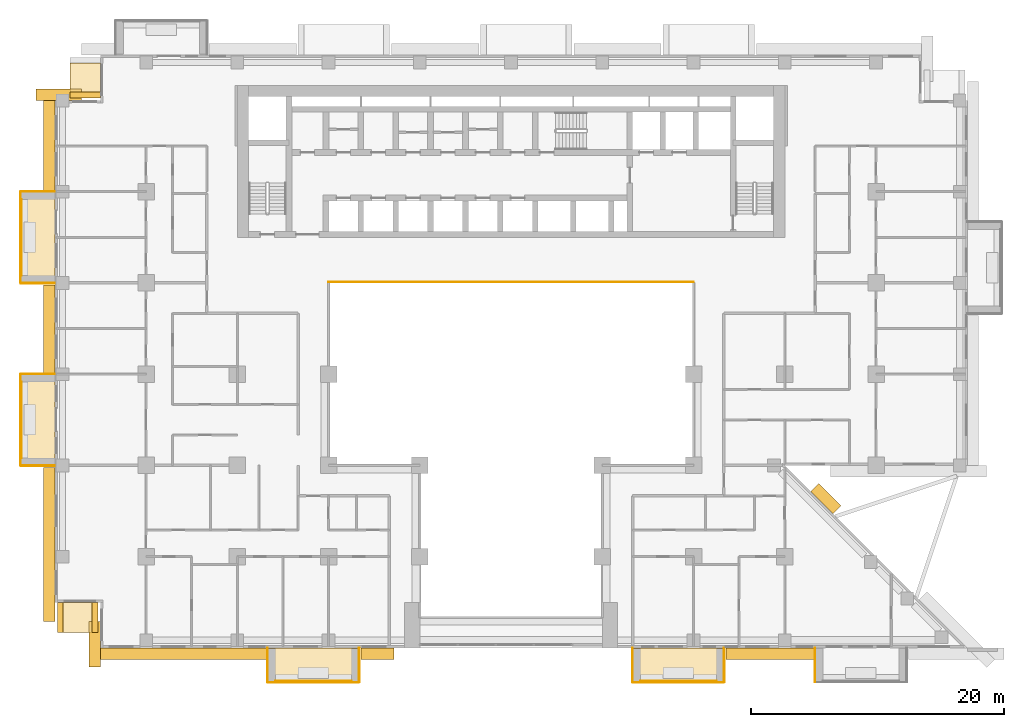
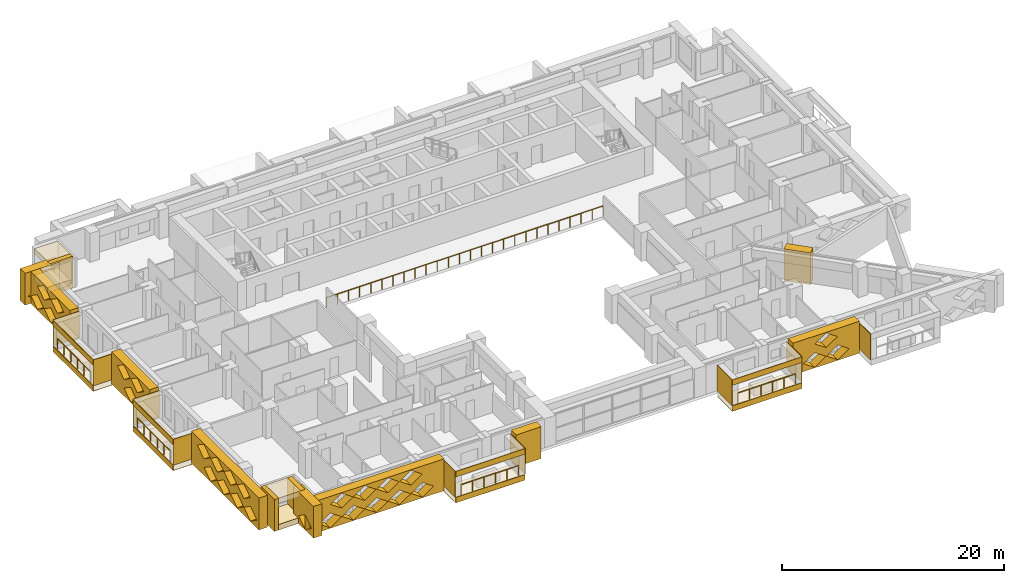
# One storey, part 14 of 17: 37 coverings, 5 railings.
"""IFC4 building model written with IfcOpenShell, lengths in metres."""

import ifcopenshell
import ifcopenshell.guid

model = None  # the IFC model being written
_history = None  # IfcOwnerHistory: only IFC2X3 demands one
_inside = {}  # id of a spatial element -> (the spatial element, [elements in it])
_under = {}  # id of a project, library or spatial element -> (it, [spatial elements below it])
_declared = {}  # id of a project -> (the project, [libraries it declares])
_typed = {}  # id of a type object -> (the type object, [elements of that type])
_made_of = {}  # id of a material, layer set ... -> (it, [elements and type objects made of it])


def new_model(schema):
    """Start an empty IFC model of exactly this schema.

    Asked for "IFC4X3", IfcOpenShell would pick the latest addendum, in which some entities
    have other attributes; the version numbers below select the first issue.
    IFC2X3 requires an IfcOwnerHistory on every rooted entity: one is made here for all.
    """
    global model, _history
    if schema == "IFC4X3":
        model = ifcopenshell.file(schema_version=(4, 3, 0, 0))
    else:
        model = ifcopenshell.file(schema=schema)
    _inside.clear()
    _under.clear()
    _declared.clear()
    _typed.clear()
    _made_of.clear()
    _history = None
    if model.schema == "IFC2X3":
        org = make("IfcOrganization", Name="unknown")
        user = make(
            "IfcPersonAndOrganization",
            ThePerson=make("IfcPerson", FamilyName="unknown"),
            TheOrganization=org,
        )
        app = make(
            "IfcApplication",
            ApplicationDeveloper=org,
            Version="unknown",
            ApplicationFullName="unknown",
            ApplicationIdentifier="unknown",
        )
        _history = make(
            "IfcOwnerHistory",
            OwningUser=user,
            OwningApplication=app,
            ChangeAction="ADDED",
            CreationDate=0,
        )
    return model


def make(cls, **values):
    """One entity of the class cls with the attributes given. An attribute that is None is left unset."""
    return model.create_entity(
        cls, **{name: value for name, value in values.items() if value is not None}
    )


def rooted(cls, **values):
    """An entity with a GlobalId (a new one), such as an element, a storey or a relation."""
    return make(cls, GlobalId=ifcopenshell.guid.new(), OwnerHistory=_history, **values)


def si_unit(unit_type, name, prefix=None):
    """IfcSIUnit, for example si_unit("LENGTHUNIT", "METRE", prefix="MILLI")."""
    return make("IfcSIUnit", UnitType=unit_type, Prefix=prefix, Name=name)


def assignment(units):
    """IfcUnitAssignment: the units of a project."""
    return None if units is None else make("IfcUnitAssignment", Units=units)


def point(xyz):
    """IfcCartesianPoint."""
    return None if xyz is None else make("IfcCartesianPoint", Coordinates=xyz)


def direction(xyz):
    """IfcDirection."""
    return None if xyz is None else make("IfcDirection", DirectionRatios=xyz)


def frame(location, z_axis=None, x_axis=None):
    """IfcAxis2Placement3D, a coordinate frame: its origin and axes. An axis left out is left unset."""
    return make(
        "IfcAxis2Placement3D",
        Location=point(location),
        Axis=direction(z_axis),
        RefDirection=direction(x_axis),
    )


def frame_2d(location, x_axis=None):
    """IfcAxis2Placement2D, a coordinate frame in the plane: its origin and x axis."""
    return make(
        "IfcAxis2Placement2D", Location=point(location), RefDirection=direction(x_axis)
    )


def origin():
    """The frame at (0, 0, 0) with its axes left unset."""
    return frame((0.0, 0.0, 0.0))


def origin_2d():
    """The frame at (0, 0) in the plane with its x axis left unset."""
    return frame_2d((0.0, 0.0))


def place(relative_to, where):
    """IfcLocalPlacement: puts the frame where relative to a parent placement (None: the world)."""
    return make(
        "IfcLocalPlacement", PlacementRelTo=relative_to, RelativePlacement=where
    )


def context(
    kind, dimensions, precision=None, world=None, true_north=None, identifier=None
):
    """IfcGeometricRepresentationContext, for example the 3D "Model" context."""
    return make(
        "IfcGeometricRepresentationContext",
        ContextIdentifier=identifier,
        ContextType=kind,
        CoordinateSpaceDimension=dimensions,
        Precision=precision,
        WorldCoordinateSystem=world,
        TrueNorth=true_north,
    )


def subcontext(parent, identifier, kind, view, scale=None):
    """IfcGeometricRepresentationSubContext, for example "Body" below "Model"."""
    return make(
        "IfcGeometricRepresentationSubContext",
        ContextIdentifier=identifier,
        ContextType=kind,
        ParentContext=parent,
        TargetScale=scale,
        TargetView=view,
    )


def project(units=None, contexts=None):
    """IfcProject with its units and contexts."""
    return rooted(
        "IfcProject",
        Name="project",
        RepresentationContexts=contexts,
        UnitsInContext=assignment(units),
    )


def spatial(cls, under=None, at=None, **own):
    """A site, building, storey or space (cls), placed at a placement, below another one or the project."""
    s = rooted(cls, ObjectPlacement=at, **own)
    if under is not None:
        _under.setdefault(under.id(), (under, []))[1].append(s)
    return s


def polyline(points):
    """IfcPolyline through the points."""
    return make("IfcPolyline", Points=[point(p) for p in points])


def profile(cls, at=None, kind="AREA", **sizes):
    """A parametric profile (cls). Its sizes go by their IFC names, for example OverallWidth=200.0."""
    return make(cls, ProfileType=kind, Position=at, **sizes)


def circle(**sizes):
    """IfcCircleProfileDef."""
    return profile("IfcCircleProfileDef", **sizes)


def outline(outer, holes=None, kind="AREA"):
    """IfcArbitraryClosedProfileDef: a profile drawn as a closed curve; with holes, ...WithVoids."""
    if holes is None:
        return make("IfcArbitraryClosedProfileDef", ProfileType=kind, OuterCurve=outer)
    return make(
        "IfcArbitraryProfileDefWithVoids",
        ProfileType=kind,
        OuterCurve=outer,
        InnerCurves=holes,
    )


def extrude(swept, where, along, depth):
    """IfcExtrudedAreaSolid: the profile swept, set in the frame where, extruded along a direction by depth."""
    return make(
        "IfcExtrudedAreaSolid",
        SweptArea=swept,
        Position=where,
        ExtrudedDirection=direction(along),
        Depth=depth,
    )


def shape(context_of_items, identifier, shape_type, items):
    """IfcShapeRepresentation: the items that make up one representation, for example the "Body"."""
    return make(
        "IfcShapeRepresentation",
        ContextOfItems=context_of_items,
        RepresentationIdentifier=identifier,
        RepresentationType=shape_type,
        Items=items,
    )


def material(Name=None, Category=None):
    """IfcMaterial."""
    return make("IfcMaterial", Name=Name, Category=Category)


def layer(
    of_material, thickness, ventilated=None, Name=None, Category=None, Priority=None
):
    """IfcMaterialLayer: one layer of a wall or slab, of a material (None: an air gap)."""
    return make(
        "IfcMaterialLayer",
        Material=of_material,
        LayerThickness=thickness,
        IsVentilated=ventilated,
        Name=Name,
        Category=Category,
        Priority=Priority,
    )


def layer_set(layers, Name=None):
    """IfcMaterialLayerSet."""
    return make("IfcMaterialLayerSet", MaterialLayers=layers, LayerSetName=Name)


def made_of(thing, what):
    """Note that an element or type object is made of a material, layer set ...; save() writes the relation."""
    if what is not None:
        _made_of.setdefault(what.id(), (what, []))[1].append(thing)
    return thing


def type_object(cls, material=None, **own):
    """A type object (cls), such as IfcWallType, which elements share."""
    return made_of(rooted(cls, **own), material)


def element(
    cls,
    number,
    at=None,
    inside=None,
    cuts=None,
    type_object=None,
    material=None,
    context=None,
    identifier="Body",
    shape_type=None,
    held_by="IfcProductDefinitionShape",
    body=None,
    shapes=None,
    **own,
):
    """One element of the class cls, such as IfcWall. Its Tag is "e" and its number.

    at: its placement. inside: the storey or other place that contains it. cuts: it is an
    opening in that element (IfcRelVoidsElement). A single representation is given by context,
    identifier, shape_type and body (its items); several are given by shapes. held_by: the class
    of the entity that holds the representations. save() writes the other relations.
    """
    e = rooted(cls, Tag="e%d" % number, ObjectPlacement=at, **own)
    if body is not None:
        shapes = [shape(context, identifier, shape_type, body)]
    if shapes is not None:
        e.Representation = make(held_by, Representations=shapes)
    if inside is not None:
        _inside.setdefault(inside.id(), (inside, []))[1].append(e)
    if cuts is not None:
        rooted(
            "IfcRelVoidsElement", RelatingBuildingElement=cuts, RelatedOpeningElement=e
        )
    if type_object is not None:
        _typed.setdefault(type_object.id(), (type_object, []))[1].append(e)
    return made_of(e, material)


def aggregate(whole, parts):
    """IfcRelAggregates: a whole, such as a stair, and the parts it consists of."""
    return rooted("IfcRelAggregates", RelatingObject=whole, RelatedObjects=parts)


def save(model, path):
    """Write the relations noted so far, then the file.

    IfcRelAggregates (storeys below a building ...), IfcRelContainedInSpatialStructure (elements
    in a storey), IfcRelDefinesByType, IfcRelAssociatesMaterial and IfcRelDeclares: one each for
    every whole, place, type object, material and project.
    """
    for whole, parts in _under.values():
        aggregate(whole, parts)
    for where, things in _inside.values():
        rooted(
            "IfcRelContainedInSpatialStructure",
            RelatedElements=things,
            RelatingStructure=where,
        )
    for kind, things in _typed.values():
        rooted("IfcRelDefinesByType", RelatedObjects=things, RelatingType=kind)
    for what, things in _made_of.values():
        rooted("IfcRelAssociatesMaterial", RelatedObjects=things, RelatingMaterial=what)
    for by, libraries in _declared.values():
        rooted("IfcRelDeclares", RelatingContext=by, RelatedDefinitions=libraries)
    model.write(path)


model = new_model("IFC4")

# Units and contexts
model_context = context("Model", 3, precision=1e-05, world=origin(), true_north=direction((0.0, 1.0)))
body_context = subcontext(model_context, "Body", "Model", "MODEL_VIEW")
ifc_project = project(units=[si_unit("LENGTHUNIT", "METRE"), si_unit("AREAUNIT", "SQUARE_METRE"), si_unit("VOLUMEUNIT", "CUBIC_METRE"), si_unit("PLANEANGLEUNIT", "RADIAN"), si_unit("MASSUNIT", "GRAM", prefix="KILO")], contexts=[model_context])

# Site, building, storey
site_placement = place(None, origin())
site = spatial("IfcSite", under=ifc_project, at=site_placement, CompositionType="ELEMENT")
building_placement = place(site_placement, origin())
building = spatial("IfcBuilding", under=site, at=building_placement, Name="Saffron Iwan Residences", CompositionType="ELEMENT")
storey_placement = place(building_placement, frame((0.0, 0.0, 79.5)))
storey = spatial("IfcBuildingStorey", under=building, at=storey_placement, Name="L20", CompositionType="ELEMENT", Elevation=79.5)

# Railings
ifc_material_1 = material(Name="Stainless steel 316", Category="steel")
railing_type_1 = type_object("IfcRailingType", Name="Atrium guard 1150", PredefinedType="GUARDRAIL", material=ifc_material_1)
railing_placement = place(storey_placement, frame((36.0, 62.47509765625, 0.0)))
element("IfcRailing", 1, at=railing_placement, inside=storey, type_object=railing_type_1, Name="Atrium guard L20", PredefinedType="GUARDRAIL", context=body_context, shape_type="SweptSolid", body=[
    extrude(circle(Radius=0.02392578125, at=origin_2d()), frame((0.0, 0.0, 1.1259765625), z_axis=(1.0, 0.0, 0.0), x_axis=(0.0, 1.0, 0.0)), (0.0, 0.0, 1.0), 28.800048828125),
    extrude(circle(Radius=0.02099609375, at=origin_2d()), origin(), (0.0, 0.0, 1.0), 1.101806640625),
    extrude(circle(Radius=0.02099609375, at=origin_2d()), frame((1.152099609375, 0.0, 0.0)), (0.0, 0.0, 1.0), 1.101806640625),
    extrude(circle(Radius=0.02099609375, at=origin_2d()), frame((2.303955078125, 0.0, 0.0)), (0.0, 0.0, 1.0), 1.101806640625),
    extrude(circle(Radius=0.02099609375, at=origin_2d()), frame((3.4560546875, 0.0, 0.0)), (0.0, 0.0, 1.0), 1.101806640625),
    extrude(circle(Radius=0.02099609375, at=origin_2d()), frame((4.60791015625, 0.0, 0.0)), (0.0, 0.0, 1.0), 1.101806640625),
    extrude(circle(Radius=0.02099609375, at=origin_2d()), frame((5.760009765625, 0.0, 0.0)), (0.0, 0.0, 1.0), 1.101806640625),
    extrude(circle(Radius=0.02099609375, at=origin_2d()), frame((6.912109375, 0.0, 0.0)), (0.0, 0.0, 1.0), 1.101806640625),
    extrude(circle(Radius=0.02099609375, at=origin_2d()), frame((8.06396484375, 0.0, 0.0)), (0.0, 0.0, 1.0), 1.101806640625),
    extrude(circle(Radius=0.02099609375, at=origin_2d()), frame((9.216064453125, 0.0, 0.0)), (0.0, 0.0, 1.0), 1.101806640625),
    extrude(circle(Radius=0.02099609375, at=origin_2d()), frame((10.367919921875, 0.0, 0.0)), (0.0, 0.0, 1.0), 1.101806640625),
    extrude(circle(Radius=0.02099609375, at=origin_2d()), frame((11.52001953125, 0.0, 0.0)), (0.0, 0.0, 1.0), 1.101806640625),
    extrude(circle(Radius=0.02099609375, at=origin_2d()), frame((12.672119140625, 0.0, 0.0)), (0.0, 0.0, 1.0), 1.101806640625),
    extrude(circle(Radius=0.02099609375, at=origin_2d()), frame((13.823974609375, 0.0, 0.0)), (0.0, 0.0, 1.0), 1.101806640625),
    extrude(circle(Radius=0.02099609375, at=origin_2d()), frame((14.97607421875, 0.0, 0.0)), (0.0, 0.0, 1.0), 1.101806640625),
    extrude(circle(Radius=0.02099609375, at=origin_2d()), frame((16.1279296875, 0.0, 0.0)), (0.0, 0.0, 1.0), 1.101806640625),
    extrude(circle(Radius=0.02099609375, at=origin_2d()), frame((17.280029296875, 0.0, 0.0)), (0.0, 0.0, 1.0), 1.101806640625),
    extrude(circle(Radius=0.02099609375, at=origin_2d()), frame((18.43212890625, 0.0, 0.0)), (0.0, 0.0, 1.0), 1.101806640625),
    extrude(circle(Radius=0.02099609375, at=origin_2d()), frame((19.583984375, 0.0, 0.0)), (0.0, 0.0, 1.0), 1.101806640625),
    extrude(circle(Radius=0.02099609375, at=origin_2d()), frame((20.736083984375, 0.0, 0.0)), (0.0, 0.0, 1.0), 1.101806640625),
    extrude(circle(Radius=0.02099609375, at=origin_2d()), frame((21.887939453125, 0.0, 0.0)), (0.0, 0.0, 1.0), 1.101806640625),
    extrude(circle(Radius=0.02099609375, at=origin_2d()), frame((23.0400390625, 0.0, 0.0)), (0.0, 0.0, 1.0), 1.101806640625),
    extrude(circle(Radius=0.02099609375, at=origin_2d()), frame((24.192138671875, 0.0, 0.0)), (0.0, 0.0, 1.0), 1.101806640625),
    extrude(circle(Radius=0.02099609375, at=origin_2d()), frame((25.343994140625, 0.0, 0.0)), (0.0, 0.0, 1.0), 1.101806640625),
    extrude(circle(Radius=0.02099609375, at=origin_2d()), frame((26.49609375, 0.0, 0.0)), (0.0, 0.0, 1.0), 1.101806640625),
    extrude(circle(Radius=0.02099609375, at=origin_2d()), frame((27.64794921875, 0.0, 0.0)), (0.0, 0.0, 1.0), 1.101806640625),
    extrude(circle(Radius=0.02099609375, at=origin_2d()), frame((28.800048828125, 0.0, 0.0)), (0.0, 0.0, 1.0), 1.101806640625),
])
railing_type_2 = type_object("IfcRailingType", Name="BALCONY GUARD 1150", PredefinedType="GUARDRAIL", material=ifc_material_1)
for number, where, name in (
    (2, (11.77490234375, 69.0, 0.0), "Balcony guard L20 F8-0"),
    (3, (11.77490234375, 54.60009765625, 0.0), "Balcony guard L20 F8-1"),
):
    element("IfcRailing", number, at=place(storey_placement, frame(where)), inside=storey, type_object=railing_type_2, Name=name, PredefinedType="GUARDRAIL", context=body_context, shape_type="SweptSolid", body=[
        extrude(circle(Radius=0.02392578125, at=origin_2d()), frame((0.0, 0.0, 1.1259765625), z_axis=(0.0, -1.0, 0.0), x_axis=(1.0, 0.0, 0.0)), (0.0, 0.0, 1.0), 6.0),
        extrude(circle(Radius=0.02099609375, at=origin_2d()), origin(), (0.0, 0.0, 1.0), 1.101806640625),
        extrude(circle(Radius=0.02099609375, at=origin_2d()), frame((0.0, -1.199951171875, 0.0)), (0.0, 0.0, 1.0), 1.101806640625),
        extrude(circle(Radius=0.02099609375, at=origin_2d()), frame((0.0, -2.39990234375, 0.0)), (0.0, 0.0, 1.0), 1.101806640625),
        extrude(circle(Radius=0.02099609375, at=origin_2d()), frame((0.0, -3.60009765625, 0.0)), (0.0, 0.0, 1.0), 1.101806640625),
        extrude(circle(Radius=0.02099609375, at=origin_2d()), frame((0.0, -4.800048828125, 0.0)), (0.0, 0.0, 1.0), 1.101806640625),
        extrude(circle(Radius=0.02099609375, at=origin_2d()), frame((0.0, -6.0, 0.0)), (0.0, 0.0, 1.0), 1.101806640625),
    ])
for number, where, name in (
    (4, (31.800048828125, 30.97509765625, 0.0), "Balcony guard L20 11-0"),
    (5, (60.60009765625, 30.97509765625, 0.0), "Balcony guard L20 11-1"),
):
    element("IfcRailing", number, at=place(storey_placement, frame(where)), inside=storey, type_object=railing_type_2, Name=name, PredefinedType="GUARDRAIL", context=body_context, shape_type="SweptSolid", body=[
        extrude(circle(Radius=0.02392578125, at=origin_2d()), frame((0.0, 0.0, 1.1259765625), z_axis=(1.0, 0.0, 0.0), x_axis=(0.0, 1.0, 0.0)), (0.0, 0.0, 1.0), 6.0),
        extrude(circle(Radius=0.02099609375, at=origin_2d()), origin(), (0.0, 0.0, 1.0), 1.101806640625),
        extrude(circle(Radius=0.02099609375, at=origin_2d()), frame((1.199951171875, 0.0, 0.0)), (0.0, 0.0, 1.0), 1.101806640625),
        extrude(circle(Radius=0.02099609375, at=origin_2d()), frame((2.39990234375, 0.0, 0.0)), (0.0, 0.0, 1.0), 1.101806640625),
        extrude(circle(Radius=0.02099609375, at=origin_2d()), frame((3.60009765625, 0.0, 0.0)), (0.0, 0.0, 1.0), 1.101806640625),
        extrude(circle(Radius=0.02099609375, at=origin_2d()), frame((4.800048828125, 0.0, 0.0)), (0.0, 0.0, 1.0), 1.101806640625),
        extrude(circle(Radius=0.02099609375, at=origin_2d()), frame((6.0, 0.0, 0.0)), (0.0, 0.0, 1.0), 1.101806640625),
    ])

# Coverings
ifc_material_2 = material(Name="Precast concrete C40/50 white painted", Category="concrete")
ifc_layer = layer(ifc_material_2, 0.050048828125)
ifc_layer_set = layer_set([ifc_layer], Name="Precast concrete C40/50 white painted")
covering_type_1 = type_object("IfcCoveringType", Name="FRAME SKIN PRECAST WHITE 50", PredefinedType="CLADDING", material=ifc_layer_set)
for number, where, name in (
    (6, (0.0, 0.0, -0.60009765625), "Frame skin slab edge L20 F8-0"),
    (7, (0.0, 0.0, 2.25), "Frame skin fascia L20 F8-0"),
):
    element("IfcCovering", number, at=place(storey_placement, frame(where)), inside=storey, type_object=covering_type_1, Name=name, PredefinedType="CLADDING", context=body_context, shape_type="SweptSolid", body=[
        extrude(outline(polyline([(11.64990234375, 69.60009765625), (11.64990234375, 62.39990234375), (11.699951171875, 62.39990234375), (11.699951171875, 69.60009765625), (11.64990234375, 69.60009765625)])), origin(), (0.0, 0.0, 1.0), 0.60009765625),
    ])
covering_1_placement = place(storey_placement, frame((0.0, 0.0, -0.64990234375)))
element("IfcCovering", 8, at=covering_1_placement, inside=storey, type_object=covering_type_1, Name="Frame skin soffit L20 F8-0", PredefinedType="CLADDING", context=body_context, shape_type="SweptSolid", body=[
    extrude(outline(polyline([(11.699951171875, 69.60009765625), (11.699951171875, 62.39990234375), (14.39990234375, 62.39990234375), (14.39990234375, 69.60009765625), (11.699951171875, 69.60009765625)])), origin(), (0.0, 0.0, 1.0), 0.0498046875),
])
covering_2_placement = place(storey_placement, origin())
element("IfcCovering", 9, at=covering_2_placement, inside=storey, type_object=covering_type_1, Name="Frame skin fin L20 F8-0a", PredefinedType="CLADDING", context=body_context, shape_type="SweptSolid", body=[
    extrude(outline(polyline([(11.699951171875, 69.64990234375), (11.699951171875, 69.60009765625), (14.39990234375, 69.60009765625), (14.39990234375, 69.64990234375), (11.699951171875, 69.64990234375)])), origin(), (0.0, 0.0, 1.0), 2.85009765625),
])
covering_3_placement = place(storey_placement, origin())
element("IfcCovering", 10, at=covering_3_placement, inside=storey, type_object=covering_type_1, Name="Frame skin fin L20 F8-0b", PredefinedType="CLADDING", context=body_context, shape_type="SweptSolid", body=[
    extrude(outline(polyline([(11.699951171875, 62.39990234375), (11.699951171875, 62.35009765625), (14.39990234375, 62.35009765625), (14.39990234375, 62.39990234375), (11.699951171875, 62.39990234375)])), origin(), (0.0, 0.0, 1.0), 2.85009765625),
])
for number, where, name in (
    (11, (0.0, 0.0, -0.60009765625), "Frame skin slab edge L20 F8-1"),
    (12, (0.0, 0.0, 2.25), "Frame skin fascia L20 F8-1"),
):
    element("IfcCovering", number, at=place(storey_placement, frame(where)), inside=storey, type_object=covering_type_1, Name=name, PredefinedType="CLADDING", context=body_context, shape_type="SweptSolid", body=[
        extrude(outline(polyline([(11.64990234375, 55.199951171875), (11.64990234375, 48.0), (11.699951171875, 48.0), (11.699951171875, 55.199951171875), (11.64990234375, 55.199951171875)])), origin(), (0.0, 0.0, 1.0), 0.60009765625),
    ])
covering_4_placement = place(storey_placement, frame((0.0, 0.0, -0.64990234375)))
element("IfcCovering", 13, at=covering_4_placement, inside=storey, type_object=covering_type_1, Name="Frame skin soffit L20 F8-1", PredefinedType="CLADDING", context=body_context, shape_type="SweptSolid", body=[
    extrude(outline(polyline([(11.699951171875, 55.199951171875), (11.699951171875, 48.0), (14.39990234375, 48.0), (14.39990234375, 55.199951171875), (11.699951171875, 55.199951171875)])), origin(), (0.0, 0.0, 1.0), 0.0498046875),
])
covering_5_placement = place(storey_placement, origin())
element("IfcCovering", 14, at=covering_5_placement, inside=storey, type_object=covering_type_1, Name="Frame skin fin L20 F8-1a", PredefinedType="CLADDING", context=body_context, shape_type="SweptSolid", body=[
    extrude(outline(polyline([(11.699951171875, 55.25), (11.699951171875, 55.199951171875), (14.39990234375, 55.199951171875), (14.39990234375, 55.25), (11.699951171875, 55.25)])), origin(), (0.0, 0.0, 1.0), 2.85009765625),
])
covering_6_placement = place(storey_placement, origin())
element("IfcCovering", 15, at=covering_6_placement, inside=storey, type_object=covering_type_1, Name="Frame skin fin L20 F8-1b", PredefinedType="CLADDING", context=body_context, shape_type="SweptSolid", body=[
    extrude(outline(polyline([(11.699951171875, 48.0), (11.699951171875, 47.949951171875), (14.39990234375, 47.949951171875), (14.39990234375, 48.0), (11.699951171875, 48.0)])), origin(), (0.0, 0.0, 1.0), 2.85009765625),
])
for number, where, name in (
    (16, (0.0, 0.0, -0.60009765625), "Frame skin slab edge L20 11-0"),
    (17, (0.0, 0.0, 2.25), "Frame skin fascia L20 11-0"),
):
    element("IfcCovering", number, at=place(storey_placement, frame(where)), inside=storey, type_object=covering_type_1, Name=name, PredefinedType="CLADDING", context=body_context, shape_type="SweptSolid", body=[
        extrude(outline(polyline([(31.199951171875, 30.85009765625), (38.39990234375, 30.85009765625), (38.39990234375, 30.89990234375), (31.199951171875, 30.89990234375), (31.199951171875, 30.85009765625)])), origin(), (0.0, 0.0, 1.0), 0.60009765625),
    ])
covering_7_placement = place(storey_placement, frame((0.0, 0.0, -0.64990234375)))
element("IfcCovering", 18, at=covering_7_placement, inside=storey, type_object=covering_type_1, Name="Frame skin soffit L20 11-0", PredefinedType="CLADDING", context=body_context, shape_type="SweptSolid", body=[
    extrude(outline(polyline([(31.199951171875, 30.89990234375), (38.39990234375, 30.89990234375), (38.39990234375, 33.60009765625), (31.199951171875, 33.60009765625), (31.199951171875, 30.89990234375)])), origin(), (0.0, 0.0, 1.0), 0.0498046875),
])
covering_8_placement = place(storey_placement, origin())
element("IfcCovering", 19, at=covering_8_placement, inside=storey, type_object=covering_type_1, Name="Frame skin fin L20 11-0a", PredefinedType="CLADDING", context=body_context, shape_type="SweptSolid", body=[
    extrude(outline(polyline([(31.14990234375, 30.89990234375), (31.199951171875, 30.89990234375), (31.199951171875, 33.60009765625), (31.14990234375, 33.60009765625), (31.14990234375, 30.89990234375)])), origin(), (0.0, 0.0, 1.0), 2.85009765625),
])
covering_9_placement = place(storey_placement, origin())
element("IfcCovering", 20, at=covering_9_placement, inside=storey, type_object=covering_type_1, Name="Frame skin fin L20 11-0b", PredefinedType="CLADDING", context=body_context, shape_type="SweptSolid", body=[
    extrude(outline(polyline([(38.39990234375, 30.89990234375), (38.449951171875, 30.89990234375), (38.449951171875, 33.60009765625), (38.39990234375, 33.60009765625), (38.39990234375, 30.89990234375)])), origin(), (0.0, 0.0, 1.0), 2.85009765625),
])
for number, where, name in (
    (21, (0.0, 0.0, -0.60009765625), "Frame skin slab edge L20 11-1"),
    (22, (0.0, 0.0, 2.25), "Frame skin fascia L20 11-1"),
):
    element("IfcCovering", number, at=place(storey_placement, frame(where)), inside=storey, type_object=covering_type_1, Name=name, PredefinedType="CLADDING", context=body_context, shape_type="SweptSolid", body=[
        extrude(outline(polyline([(60.0, 30.85009765625), (67.199951171875, 30.85009765625), (67.199951171875, 30.89990234375), (60.0, 30.89990234375), (60.0, 30.85009765625)])), origin(), (0.0, 0.0, 1.0), 0.60009765625),
    ])
covering_10_placement = place(storey_placement, frame((0.0, 0.0, -0.64990234375)))
element("IfcCovering", 23, at=covering_10_placement, inside=storey, type_object=covering_type_1, Name="Frame skin soffit L20 11-1", PredefinedType="CLADDING", context=body_context, shape_type="SweptSolid", body=[
    extrude(outline(polyline([(60.0, 30.89990234375), (67.199951171875, 30.89990234375), (67.199951171875, 33.60009765625), (60.0, 33.60009765625), (60.0, 30.89990234375)])), origin(), (0.0, 0.0, 1.0), 0.0498046875),
])
covering_11_placement = place(storey_placement, origin())
element("IfcCovering", 24, at=covering_11_placement, inside=storey, type_object=covering_type_1, Name="Frame skin fin L20 11-1a", PredefinedType="CLADDING", context=body_context, shape_type="SweptSolid", body=[
    extrude(outline(polyline([(59.949951171875, 30.89990234375), (60.0, 30.89990234375), (60.0, 33.60009765625), (59.949951171875, 33.60009765625), (59.949951171875, 30.89990234375)])), origin(), (0.0, 0.0, 1.0), 2.85009765625),
])
covering_12_placement = place(storey_placement, origin())
element("IfcCovering", 25, at=covering_12_placement, inside=storey, type_object=covering_type_1, Name="Frame skin fin L20 11-1b", PredefinedType="CLADDING", context=body_context, shape_type="SweptSolid", body=[
    extrude(outline(polyline([(67.199951171875, 30.89990234375), (67.25, 30.89990234375), (67.25, 33.60009765625), (67.199951171875, 33.60009765625), (67.199951171875, 30.89990234375)])), origin(), (0.0, 0.0, 1.0), 2.85009765625),
])
covering_13_placement = place(storey_placement, origin())
element("IfcCovering", 26, at=covering_13_placement, inside=storey, type_object=covering_type_1, Name="Frame skin fin L20 11-2a", PredefinedType="CLADDING", context=body_context, shape_type="SweptSolid", body=[
    extrude(outline(polyline([(74.35009765625, 30.89990234375), (74.39990234375, 30.89990234375), (74.39990234375, 33.60009765625), (74.35009765625, 33.60009765625), (74.35009765625, 30.89990234375)])), origin(), (0.0, 0.0, 1.0), 2.85009765625),
])
ifc_material_3 = material(Name="Precast concrete C40/50", Category="concrete")
covering_type_2 = type_object("IfcCoveringType", Name="OUTER SKIN LATTICE SCREEN", PredefinedType="CLADDING", material=ifc_material_3)
covering_14_placement = place(storey_placement, frame((75.805908203125, 44.194091796875, -0.320068359375), z_axis=(0.707106781187, 0.707106781187, 0.0), x_axis=(-0.707106781187, 0.707106781187, 0.0)))
element("IfcCovering", 27, at=covering_14_placement, inside=storey, type_object=covering_type_2, Name="OUTER SKIN lattice screen L20 F0.1", PredefinedType="CLADDING", context=body_context, shape_type="SweptSolid", body=[
    extrude(outline(polyline([(0.0, 0.0), (2.4853515625, 0.0), (2.4853515625, 3.5), (0.0, 3.5), (0.0, 0.0)])), origin(), (0.0, 0.0, 1.0), 0.900146484375),
])
covering_15_placement = place(storey_placement, frame((16.5, 76.800048828125, -0.320068359375), z_axis=(0.0, 1.0, 0.0), x_axis=(-1.0, 0.0, 0.0)))
element("IfcCovering", 28, at=covering_15_placement, inside=storey, type_object=covering_type_2, Name="OUTER SKIN lattice screen L20 F7.0", PredefinedType="CLADDING", context=body_context, shape_type="SweptSolid", body=[
    extrude(outline(polyline([(0.0, 0.0), (3.60009765625, 0.0), (3.60009765625, 3.5), (0.0, 3.5), (0.0, 0.0)]), holes=[polyline([(0.919921875, 0.875), (2.10009765625, 0.06005859375), (3.280029296875, 0.875), (2.10009765625, 1.68994140625), (0.919921875, 0.875)])]), origin(), (0.0, 0.0, 1.0), 0.89990234375),
])
covering_16_placement = place(storey_placement, frame((14.39990234375, 77.699951171875, -0.320068359375), z_axis=(-1.0, 0.0, 0.0), x_axis=(0.0, -1.0, 0.0)))
element("IfcCovering", 29, at=covering_16_placement, inside=storey, type_object=covering_type_2, Name="OUTER SKIN lattice screen L20 F8.0", PredefinedType="CLADDING", context=body_context, shape_type="SweptSolid", body=[
    extrude(outline(polyline([(0.0, 0.0), (7.949951171875, 0.0), (7.949951171875, 3.5), (0.0, 3.5), (0.0, 0.0)]), holes=[polyline([(0.919921875, 0.875), (2.10009765625, 0.06005859375), (3.280029296875, 0.875), (2.10009765625, 1.68994140625), (0.919921875, 0.875)]), polyline([(3.320068359375, 0.875), (4.5, 0.06005859375), (5.679931640625, 0.875), (4.5, 1.68994140625), (3.320068359375, 0.875)]), polyline([(2.1201171875, 2.625), (3.300048828125, 1.81005859375), (4.47998046875, 2.625), (3.300048828125, 3.43994140625), (2.1201171875, 2.625)]), polyline([(4.52001953125, 2.625), (5.699951171875, 1.81005859375), (6.8798828125, 2.625), (5.699951171875, 3.43994140625), (4.52001953125, 2.625)])]), origin(), (0.0, 0.0, 1.0), 0.89990234375),
])
covering_17_placement = place(storey_placement, frame((14.39990234375, 62.25, -0.320068359375), z_axis=(-1.0, 0.0, 0.0), x_axis=(0.0, -1.0, 0.0)))
element("IfcCovering", 30, at=covering_17_placement, inside=storey, type_object=covering_type_2, Name="OUTER SKIN lattice screen L20 F8.1", PredefinedType="CLADDING", context=body_context, shape_type="SweptSolid", body=[
    extrude(outline(polyline([(0.0, 0.0), (6.89990234375, 0.0), (6.89990234375, 3.5), (0.0, 3.5), (0.0, 0.0)]), holes=[polyline([(2.27001953125, 0.875), (3.449951171875, 0.06005859375), (4.6298828125, 0.875), (3.449951171875, 1.68994140625), (2.27001953125, 0.875)]), polyline([(1.070068359375, 2.625), (2.25, 1.81005859375), (3.429931640625, 2.625), (2.25, 3.43994140625), (1.070068359375, 2.625)]), polyline([(3.469970703125, 2.625), (4.64990234375, 1.81005859375), (5.830078125, 2.625), (4.64990234375, 3.43994140625), (3.469970703125, 2.625)])]), origin(), (0.0, 0.0, 1.0), 0.89990234375),
])
covering_18_placement = place(storey_placement, frame((14.39990234375, 47.85009765625, -0.320068359375), z_axis=(-1.0, 0.0, 0.0), x_axis=(0.0, -1.0, 0.0)))
element("IfcCovering", 31, at=covering_18_placement, inside=storey, type_object=covering_type_2, Name="OUTER SKIN lattice screen L20 F8.2", PredefinedType="CLADDING", context=body_context, shape_type="SweptSolid", body=[
    extrude(outline(polyline([(0.0, 0.0), (12.14990234375, 0.0), (12.14990234375, 3.5), (0.0, 3.5), (0.0, 0.0)]), holes=[polyline([(2.27001953125, 0.875), (3.449951171875, 0.06005859375), (4.6298828125, 0.875), (3.449951171875, 1.68994140625), (2.27001953125, 0.875)]), polyline([(4.669921875, 0.875), (5.85009765625, 0.06005859375), (7.030029296875, 0.875), (5.85009765625, 1.68994140625), (4.669921875, 0.875)]), polyline([(7.070068359375, 0.875), (8.25, 0.06005859375), (9.429931640625, 0.875), (8.25, 1.68994140625), (7.070068359375, 0.875)]), polyline([(9.469970703125, 0.875), (10.64990234375, 0.06005859375), (11.830078125, 0.875), (10.64990234375, 1.68994140625), (9.469970703125, 0.875)]), polyline([(1.070068359375, 2.625), (2.25, 1.81005859375), (3.429931640625, 2.625), (2.25, 3.43994140625), (1.070068359375, 2.625)]), polyline([(3.469970703125, 2.625), (4.64990234375, 1.81005859375), (5.830078125, 2.625), (4.64990234375, 3.43994140625), (3.469970703125, 2.625)]), polyline([(5.8701171875, 2.625), (7.050048828125, 1.81005859375), (8.22998046875, 2.625), (7.050048828125, 3.43994140625), (5.8701171875, 2.625)]), polyline([(8.27001953125, 2.625), (9.449951171875, 1.81005859375), (10.6298828125, 2.625), (9.449951171875, 3.43994140625), (8.27001953125, 2.625)])]), origin(), (0.0, 0.0, 1.0), 0.89990234375),
])
covering_19_placement = place(storey_placement, frame((18.0, 35.699951171875, -0.320068359375), z_axis=(-1.0, 0.0, 0.0), x_axis=(0.0, -1.0, 0.0)))
element("IfcCovering", 32, at=covering_19_placement, inside=storey, type_object=covering_type_2, Name="OUTER SKIN lattice screen L20 F10.0", PredefinedType="CLADDING", context=body_context, shape_type="SweptSolid", body=[
    extrude(outline(polyline([(0.0, 0.0), (3.60009765625, 0.0), (3.60009765625, 3.5), (0.0, 3.5), (0.0, 0.0)]), holes=[polyline([(0.919921875, 0.875), (2.10009765625, 0.06005859375), (3.280029296875, 0.875), (2.10009765625, 1.68994140625), (0.919921875, 0.875)])]), origin(), (0.0, 0.0, 1.0), 0.89990234375),
])
covering_20_placement = place(storey_placement, frame((17.10009765625, 33.60009765625, -0.320068359375), z_axis=(0.0, -1.0, 0.0), x_axis=(1.0, 0.0, 0.0)))
element("IfcCovering", 33, at=covering_20_placement, inside=storey, type_object=covering_type_2, Name="OUTER SKIN lattice screen L20 F11.0", PredefinedType="CLADDING", context=body_context, shape_type="SweptSolid", body=[
    extrude(outline(polyline([(0.0, 0.0), (13.949951171875, 0.0), (13.949951171875, 3.5), (0.0, 3.5), (0.0, 0.0)]), holes=[polyline([(0.919921875, 0.875), (2.10009765625, 0.06005859375), (3.280029296875, 0.875), (2.10009765625, 1.68994140625), (0.919921875, 0.875)]), polyline([(3.320068359375, 0.875), (4.5, 0.06005859375), (5.679931640625, 0.875), (4.5, 1.68994140625), (3.320068359375, 0.875)]), polyline([(5.719970703125, 0.875), (6.89990234375, 0.06005859375), (8.080078125, 0.875), (6.89990234375, 1.68994140625), (5.719970703125, 0.875)]), polyline([(8.1201171875, 0.875), (9.300048828125, 0.06005859375), (10.47998046875, 0.875), (9.300048828125, 1.68994140625), (8.1201171875, 0.875)]), polyline([(10.52001953125, 0.875), (11.699951171875, 0.06005859375), (12.8798828125, 0.875), (11.699951171875, 1.68994140625), (10.52001953125, 0.875)]), polyline([(2.1201171875, 2.625), (3.300048828125, 1.81005859375), (4.47998046875, 2.625), (3.300048828125, 3.43994140625), (2.1201171875, 2.625)]), polyline([(4.52001953125, 2.625), (5.699951171875, 1.81005859375), (6.8798828125, 2.625), (5.699951171875, 3.43994140625), (4.52001953125, 2.625)]), polyline([(6.919921875, 2.625), (8.10009765625, 1.81005859375), (9.280029296875, 2.625), (8.10009765625, 3.43994140625), (6.919921875, 2.625)]), polyline([(9.320068359375, 2.625), (10.5, 1.81005859375), (11.679931640625, 2.625), (10.5, 3.43994140625), (9.320068359375, 2.625)])]), origin(), (0.0, 0.0, 1.0), 0.900146484375),
])
covering_21_placement = place(storey_placement, frame((38.550048828125, 33.60009765625, -0.320068359375), z_axis=(0.0, -1.0, 0.0), x_axis=(1.0, 0.0, 0.0)))
element("IfcCovering", 34, at=covering_21_placement, inside=storey, type_object=covering_type_2, Name="OUTER SKIN lattice screen L20 F11.1", PredefinedType="CLADDING", context=body_context, shape_type="SweptSolid", body=[
    extrude(outline(polyline([(0.0, 0.0), (2.60009765625, 0.0), (2.60009765625, 3.5), (0.0, 3.5), (0.0, 0.0)])), origin(), (0.0, 0.0, 1.0), 0.900146484375),
])
covering_22_placement = place(storey_placement, frame((67.35009765625, 33.60009765625, -0.320068359375), z_axis=(0.0, -1.0, 0.0), x_axis=(1.0, 0.0, 0.0)))
element("IfcCovering", 35, at=covering_22_placement, inside=storey, type_object=covering_type_2, Name="OUTER SKIN lattice screen L20 F11.2", PredefinedType="CLADDING", context=body_context, shape_type="SweptSolid", body=[
    extrude(outline(polyline([(0.0, 0.0), (6.89990234375, 0.0), (6.89990234375, 3.5), (0.0, 3.5), (0.0, 0.0)]), holes=[polyline([(1.070068359375, 0.875), (2.25, 0.06005859375), (3.429931640625, 0.875), (2.25, 1.68994140625), (1.070068359375, 0.875)]), polyline([(3.469970703125, 0.875), (4.64990234375, 0.06005859375), (5.830078125, 0.875), (4.64990234375, 1.68994140625), (3.469970703125, 0.875)]), polyline([(2.27001953125, 2.625), (3.449951171875, 1.81005859375), (4.6298828125, 2.625), (3.449951171875, 3.43994140625), (2.27001953125, 2.625)])]), origin(), (0.0, 0.0, 1.0), 0.900146484375),
])
covering_type_3 = type_object("IfcCoveringType", Name="WHITE SUN FRAME PRECAST", PredefinedType="CLADDING", material=ifc_material_2)
covering_23_placement = place(storey_placement, frame((18.0, 77.449951171875, -0.320068359375), z_axis=(-1.0, 0.0, 0.0), x_axis=(0.0, -1.0, 0.0)))
element("IfcCovering", 36, at=covering_23_placement, inside=storey, type_object=covering_type_3, Name="Sun frame L20 F6 0.2b", PredefinedType="CLADDING", context=body_context, shape_type="SweptSolid", body=[
    extrude(outline(polyline([(0.0, 0.0), (0.449951171875, 0.0), (0.449951171875, 3.5), (0.0, 3.5), (0.0, 0.0)])), origin(), (0.0, 0.0, 1.0), 2.39990234375),
])
for number, where, z_axis, x_axis, name in (
    (37, (18.0, 79.75, 2.580078125), (-1.0, 0.0, 0.0), (0.0, -1.0, 0.0), "Sun frame L20 F6 0.2h"),
    (38, (18.0, 79.75, -0.320068359375), (-1.0, 0.0, 0.0), (0.0, -1.0, 0.0), "Sun frame L20 F6 0.2s"),
):
    element("IfcCovering", number, at=place(storey_placement, frame(where, z_axis=z_axis, x_axis=x_axis)), inside=storey, type_object=covering_type_3, Name=name, PredefinedType="CLADDING", context=body_context, shape_type="SweptSolid", body=[
        extrude(outline(polyline([(0.0, 0.0), (2.300048828125, 0.0), (2.300048828125, 0.60009765625), (0.0, 0.60009765625), (0.0, 0.0)])), origin(), (0.0, 0.0, 1.0), 2.39990234375),
    ])
for number, where, z_axis, x_axis, name in (
    (39, (14.60009765625, 37.199951171875, -0.320068359375), (0.0, -1.0, 0.0), (1.0, 0.0, 0.0), "Sun frame L20 F9 0.2a"),
    (40, (17.35009765625, 37.199951171875, -0.320068359375), (0.0, -1.0, 0.0), (1.0, 0.0, 0.0), "Sun frame L20 F9 0.2b"),
):
    element("IfcCovering", number, at=place(storey_placement, frame(where, z_axis=z_axis, x_axis=x_axis)), inside=storey, type_object=covering_type_3, Name=name, PredefinedType="CLADDING", context=body_context, shape_type="SweptSolid", body=[
        extrude(outline(polyline([(0.0, 0.0), (0.449951171875, 0.0), (0.449951171875, 3.5), (0.0, 3.5), (0.0, 0.0)])), origin(), (0.0, 0.0, 1.0), 2.39990234375),
    ])
for number, where, z_axis, x_axis, name in (
    (41, (15.050048828125, 37.199951171875, 2.580078125), (0.0, -1.0, 0.0), (1.0, 0.0, 0.0), "Sun frame L20 F9 0.2h"),
    (42, (15.050048828125, 37.199951171875, -0.320068359375), (0.0, -1.0, 0.0), (1.0, 0.0, 0.0), "Sun frame L20 F9 0.2s"),
):
    element("IfcCovering", number, at=place(storey_placement, frame(where, z_axis=z_axis, x_axis=x_axis)), inside=storey, type_object=covering_type_3, Name=name, PredefinedType="CLADDING", context=body_context, shape_type="SweptSolid", body=[
        extrude(outline(polyline([(0.0, 0.0), (2.300048828125, 0.0), (2.300048828125, 0.60009765625), (0.0, 0.60009765625), (0.0, 0.0)])), origin(), (0.0, 0.0, 1.0), 2.39990234375),
    ])

save(model, "model.ifc")
